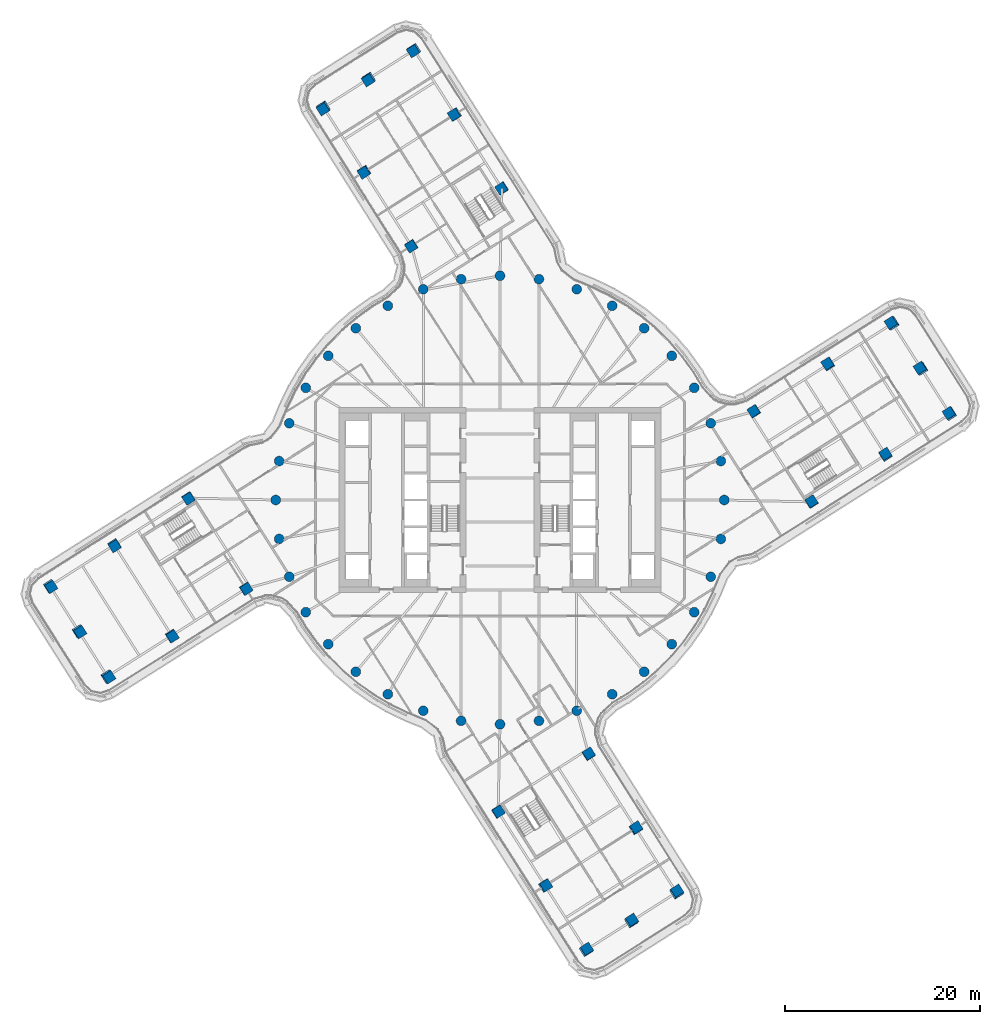
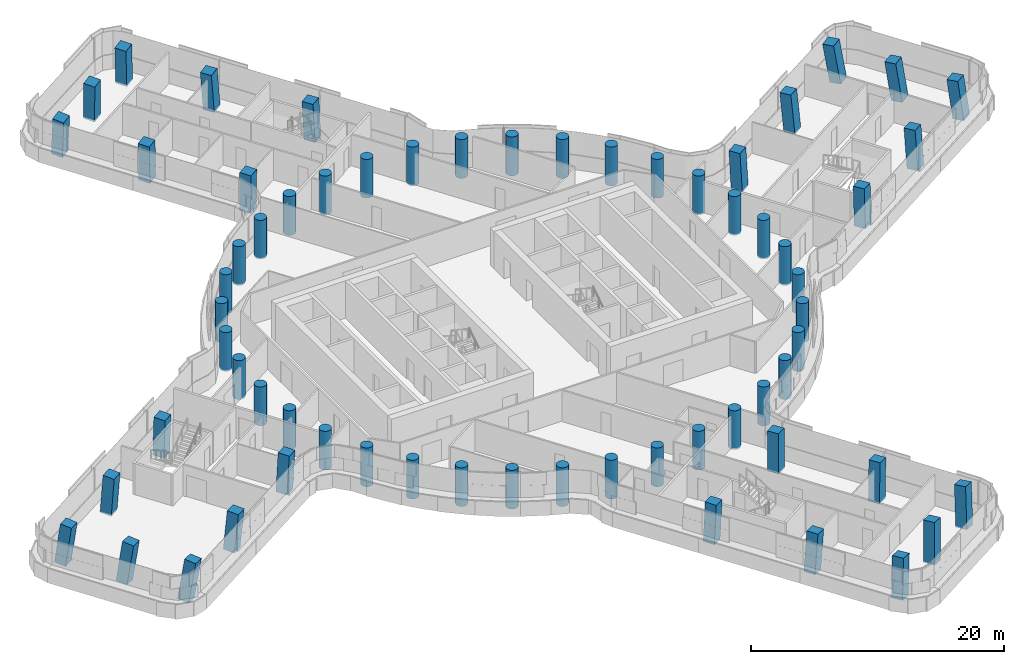
# One storey, part 1 of 36: 64 columns.
"""IFC4 building model written with IfcOpenShell, lengths in metres."""

from ifc_helpers import new_model, si_unit, direction, frame, origin, origin_2d, place, context, subcontext, project, spatial, rectangle, circle, extrude, material, material_profile, profile_set, type_object, element, save


model = new_model("IFC4")

# Units and contexts
model_context = context("Model", 3, precision=1e-05, world=origin(), true_north=direction((0.0, 1.0)))
body_context = subcontext(model_context, "Body", "Model", "MODEL_VIEW")
ifc_project = project(units=[si_unit("LENGTHUNIT", "METRE"), si_unit("AREAUNIT", "SQUARE_METRE"), si_unit("VOLUMEUNIT", "CUBIC_METRE"), si_unit("PLANEANGLEUNIT", "RADIAN"), si_unit("MASSUNIT", "GRAM", prefix="KILO")], contexts=[model_context])

# Site, building, storey
site_placement = place(None, origin())
site = spatial("IfcSite", under=ifc_project, at=site_placement, CompositionType="ELEMENT")
building_placement = place(site_placement, origin())
building = spatial("IfcBuilding", under=site, at=building_placement, Name="Tamarind Cross Interchange Tower", CompositionType="ELEMENT")
storey_placement = place(building_placement, frame((0.0, 0.0, 151.75)))
storey = spatial("IfcBuildingStorey", under=building, at=storey_placement, Name="L37", CompositionType="ELEMENT", Elevation=151.75)

# Columns
ifc_material = material(Name="Concrete C60", Category="concrete")
ifc_material_profile_1 = material_profile(ifc_material, rectangle(XDim=1.0, YDim=1.0, at=origin_2d()), Name="RC 1000x1000")
ifc_profile_set_1 = profile_set([ifc_material_profile_1], Name="Concrete C60")
column_type_1 = type_object("IfcColumnType", Name="Column RC 1000x1000 Concrete C60", PredefinedType="COLUMN", material=ifc_profile_set_1)
for number, where, z_axis, x_axis, name in (
    (1, (33.662353515625, 13.911376953125, -0.138427734375), (-0.067892620187, 0.055884843194, 0.996126235186), (0.532721528368, -0.842155739267, 0.08355527531), "Column L37-036"),
    (2, (39.5546875, 4.622802734375, -0.138427734375), (-0.023107006534, 0.084768962173, 0.996132666516), (-0.844984777075, -0.534164972547, 0.025855533558), "Column L37-037"),
):
    element("IfcColumn", number, at=place(storey_placement, frame(where, z_axis=z_axis, x_axis=x_axis)), inside=storey, type_object=column_type_1, Name=name, PredefinedType="COLUMN", context=body_context, shape_type="SweptSolid", body=[
        extrude(rectangle(XDim=1.0, YDim=1.0, at=origin_2d()), origin(), (0.0, 0.0, 1.0), 3.761474609375),
    ])
for number, where, z_axis, x_axis, name in (
    (3, (26.0625, 9.09033203125, -0.138671875), (-0.044315827662, 0.01932716713, 0.998830600267), (0.534702759857, -0.84409029995, 0.04005651173), "Column L37-038"),
    (4, (31.954833984375, -0.1982421875, -0.138671875), (0.000520596937, 0.048350440504, 0.998830297839), (-0.844403529765, -0.535059662549, 0.026340775133), "Column L37-039"),
):
    element("IfcColumn", number, at=place(storey_placement, frame(where, z_axis=z_axis, x_axis=x_axis)), inside=storey, type_object=column_type_1, Name=name, PredefinedType="COLUMN", context=body_context, shape_type="SweptSolid", body=[
        extrude(rectangle(XDim=1.0, YDim=1.0, at=origin_2d()), origin(), (0.0, 0.0, 1.0), 3.751708984375),
    ])
column_1_placement = place(storey_placement, frame((46.157958984375, 8.8115234375, -0.13818359375), z_axis=(-0.099286260123, 0.079312657012, 0.991893008841), x_axis=(0.52974298258, -0.839603229932, 0.120161510874)))
element("IfcColumn", 5, at=column_1_placement, inside=storey, type_object=column_type_1, Name="Column L37-040", PredefinedType="COLUMN", context=body_context, shape_type="SweptSolid", body=[
    extrude(rectangle(XDim=1.0, YDim=1.0, at=origin_2d()), origin(), (0.0, 0.0, 1.0), 3.77685546875),
])
column_2_placement = place(storey_placement, frame((43.211669921875, 13.455810546875, -0.13818359375), z_axis=(-0.121358344748, 0.064810520281, 0.990490660542), x_axis=(0.528350715401, -0.840541032692, 0.119734263672)))
element("IfcColumn", 6, at=column_2_placement, inside=storey, type_object=column_type_1, Name="Column L37-041", PredefinedType="COLUMN", context=body_context, shape_type="SweptSolid", body=[
    extrude(rectangle(XDim=1.0, YDim=1.0, at=origin_2d()), origin(), (0.0, 0.0, 1.0), 3.781982421875),
])
column_3_placement = place(storey_placement, frame((40.265380859375, 18.10009765625, -0.13818359375), z_axis=(-0.143262076479, 0.050309209411, 0.988405261465), x_axis=(0.527042854148, -0.84143481177, 0.119219492676)))
element("IfcColumn", 7, at=column_3_placement, inside=storey, type_object=column_type_1, Name="Column L37-042", PredefinedType="COLUMN", context=body_context, shape_type="SweptSolid", body=[
    extrude(rectangle(XDim=1.0, YDim=1.0, at=origin_2d()), origin(), (0.0, 0.0, 1.0), 3.7900390625),
])
for number, where, z_axis, x_axis, name in (
    (8, (-13.911376953125, 33.662353515625, -0.138427734375), (-0.055884843194, -0.067892620187, 0.996126235186), (0.842155739267, 0.532721528368, 0.08355527531), "Column L37-043"),
    (9, (-4.622802734375, 39.5546875, -0.138427734375), (-0.084768962173, -0.023107006534, 0.996132666516), (0.534164972547, -0.844984777075, 0.025855533558), "Column L37-044"),
):
    element("IfcColumn", number, at=place(storey_placement, frame(where, z_axis=z_axis, x_axis=x_axis)), inside=storey, type_object=column_type_1, Name=name, PredefinedType="COLUMN", context=body_context, shape_type="SweptSolid", body=[
        extrude(rectangle(XDim=1.0, YDim=1.0, at=origin_2d()), origin(), (0.0, 0.0, 1.0), 3.761474609375),
    ])
for number, where, z_axis, x_axis, name in (
    (10, (-9.09033203125, 26.0625, -0.138671875), (-0.01932716713, -0.044315827662, 0.998830600267), (0.84409029995, 0.534702759857, 0.04005651173), "Column L37-045"),
    (11, (0.1982421875, 31.954833984375, -0.138671875), (-0.048350440504, 0.000520596937, 0.998830297839), (0.535059662549, -0.844403529765, 0.026340775133), "Column L37-046"),
):
    element("IfcColumn", number, at=place(storey_placement, frame(where, z_axis=z_axis, x_axis=x_axis)), inside=storey, type_object=column_type_1, Name=name, PredefinedType="COLUMN", context=body_context, shape_type="SweptSolid", body=[
        extrude(rectangle(XDim=1.0, YDim=1.0, at=origin_2d()), origin(), (0.0, 0.0, 1.0), 3.751708984375),
    ])
column_4_placement = place(storey_placement, frame((-8.8115234375, 46.157958984375, -0.13818359375), z_axis=(-0.079312657012, -0.099286260123, 0.991893008841), x_axis=(0.839603229932, 0.52974298258, 0.120161510874)))
element("IfcColumn", 12, at=column_4_placement, inside=storey, type_object=column_type_1, Name="Column L37-047", PredefinedType="COLUMN", context=body_context, shape_type="SweptSolid", body=[
    extrude(rectangle(XDim=1.0, YDim=1.0, at=origin_2d()), origin(), (0.0, 0.0, 1.0), 3.77685546875),
])
column_5_placement = place(storey_placement, frame((-13.455810546875, 43.211669921875, -0.13818359375), z_axis=(-0.064810520281, -0.121358344748, 0.990490660542), x_axis=(0.840541032692, 0.528350715401, 0.119734263672)))
element("IfcColumn", 13, at=column_5_placement, inside=storey, type_object=column_type_1, Name="Column L37-048", PredefinedType="COLUMN", context=body_context, shape_type="SweptSolid", body=[
    extrude(rectangle(XDim=1.0, YDim=1.0, at=origin_2d()), origin(), (0.0, 0.0, 1.0), 3.781982421875),
])
column_6_placement = place(storey_placement, frame((-18.10009765625, 40.265380859375, -0.13818359375), z_axis=(-0.050309209411, -0.143262076479, 0.988405261465), x_axis=(0.84143481177, 0.527042854148, 0.119219492676)))
element("IfcColumn", 14, at=column_6_placement, inside=storey, type_object=column_type_1, Name="Column L37-049", PredefinedType="COLUMN", context=body_context, shape_type="SweptSolid", body=[
    extrude(rectangle(XDim=1.0, YDim=1.0, at=origin_2d()), origin(), (0.0, 0.0, 1.0), 3.7900390625),
])
for number, where, z_axis, x_axis, name in (
    (15, (-33.662353515625, -13.911376953125, -0.138427734375), (0.067892620187, -0.055884843194, 0.996126235186), (-0.532721528368, 0.842155739267, 0.08355527531), "Column L37-050"),
    (16, (-39.5546875, -4.622802734375, -0.138427734375), (0.023107006534, -0.084768962173, 0.996132666516), (0.844984777075, 0.534164972547, 0.025855533558), "Column L37-051"),
):
    element("IfcColumn", number, at=place(storey_placement, frame(where, z_axis=z_axis, x_axis=x_axis)), inside=storey, type_object=column_type_1, Name=name, PredefinedType="COLUMN", context=body_context, shape_type="SweptSolid", body=[
        extrude(rectangle(XDim=1.0, YDim=1.0, at=origin_2d()), origin(), (0.0, 0.0, 1.0), 3.761474609375),
    ])
for number, where, z_axis, x_axis, name in (
    (17, (-26.0625, -9.09033203125, -0.138671875), (0.044315827662, -0.01932716713, 0.998830600267), (-0.534702759857, 0.84409029995, 0.04005651173), "Column L37-052"),
    (18, (-31.954833984375, 0.1982421875, -0.138671875), (-0.000520596937, -0.048350440504, 0.998830297839), (0.844403529765, 0.535059662549, 0.026340775133), "Column L37-053"),
):
    element("IfcColumn", number, at=place(storey_placement, frame(where, z_axis=z_axis, x_axis=x_axis)), inside=storey, type_object=column_type_1, Name=name, PredefinedType="COLUMN", context=body_context, shape_type="SweptSolid", body=[
        extrude(rectangle(XDim=1.0, YDim=1.0, at=origin_2d()), origin(), (0.0, 0.0, 1.0), 3.751708984375),
    ])
column_7_placement = place(storey_placement, frame((-46.157958984375, -8.8115234375, -0.13818359375), z_axis=(0.099286260123, -0.079312657012, 0.991893008841), x_axis=(-0.52974298258, 0.839603229932, 0.120161510874)))
element("IfcColumn", 19, at=column_7_placement, inside=storey, type_object=column_type_1, Name="Column L37-054", PredefinedType="COLUMN", context=body_context, shape_type="SweptSolid", body=[
    extrude(rectangle(XDim=1.0, YDim=1.0, at=origin_2d()), origin(), (0.0, 0.0, 1.0), 3.77685546875),
])
column_8_placement = place(storey_placement, frame((-43.211669921875, -13.455810546875, -0.13818359375), z_axis=(0.121358344748, -0.064810520281, 0.990490660542), x_axis=(-0.528350715401, 0.840541032692, 0.119734263672)))
element("IfcColumn", 20, at=column_8_placement, inside=storey, type_object=column_type_1, Name="Column L37-055", PredefinedType="COLUMN", context=body_context, shape_type="SweptSolid", body=[
    extrude(rectangle(XDim=1.0, YDim=1.0, at=origin_2d()), origin(), (0.0, 0.0, 1.0), 3.781982421875),
])
column_9_placement = place(storey_placement, frame((-40.265380859375, -18.10009765625, -0.13818359375), z_axis=(0.143262076479, -0.050309209411, 0.988405261465), x_axis=(-0.527042854148, 0.84143481177, 0.119219492676)))
element("IfcColumn", 21, at=column_9_placement, inside=storey, type_object=column_type_1, Name="Column L37-056", PredefinedType="COLUMN", context=body_context, shape_type="SweptSolid", body=[
    extrude(rectangle(XDim=1.0, YDim=1.0, at=origin_2d()), origin(), (0.0, 0.0, 1.0), 3.7900390625),
])
for number, where, z_axis, x_axis, name in (
    (22, (13.911376953125, -33.662353515625, -0.138427734375), (0.055884843194, 0.067892620187, 0.996126235186), (-0.842155739267, -0.532721528368, 0.08355527531), "Column L37-057"),
    (23, (4.622802734375, -39.5546875, -0.138427734375), (0.084768962173, 0.023107006534, 0.996132666516), (-0.534164972547, 0.844984777075, 0.025855533558), "Column L37-058"),
):
    element("IfcColumn", number, at=place(storey_placement, frame(where, z_axis=z_axis, x_axis=x_axis)), inside=storey, type_object=column_type_1, Name=name, PredefinedType="COLUMN", context=body_context, shape_type="SweptSolid", body=[
        extrude(rectangle(XDim=1.0, YDim=1.0, at=origin_2d()), origin(), (0.0, 0.0, 1.0), 3.761474609375),
    ])
for number, where, z_axis, x_axis, name in (
    (24, (9.09033203125, -26.0625, -0.138671875), (0.01932716713, 0.044315827662, 0.998830600267), (-0.84409029995, -0.534702759857, 0.04005651173), "Column L37-059"),
    (25, (-0.1982421875, -31.954833984375, -0.138671875), (0.048350440504, -0.000520596937, 0.998830297839), (-0.535059662549, 0.844403529765, 0.026340775133), "Column L37-060"),
):
    element("IfcColumn", number, at=place(storey_placement, frame(where, z_axis=z_axis, x_axis=x_axis)), inside=storey, type_object=column_type_1, Name=name, PredefinedType="COLUMN", context=body_context, shape_type="SweptSolid", body=[
        extrude(rectangle(XDim=1.0, YDim=1.0, at=origin_2d()), origin(), (0.0, 0.0, 1.0), 3.751708984375),
    ])
column_10_placement = place(storey_placement, frame((8.8115234375, -46.157958984375, -0.13818359375), z_axis=(0.079312657012, 0.099286260123, 0.991893008841), x_axis=(-0.839603229932, -0.52974298258, 0.120161510874)))
element("IfcColumn", 26, at=column_10_placement, inside=storey, type_object=column_type_1, Name="Column L37-061", PredefinedType="COLUMN", context=body_context, shape_type="SweptSolid", body=[
    extrude(rectangle(XDim=1.0, YDim=1.0, at=origin_2d()), origin(), (0.0, 0.0, 1.0), 3.77685546875),
])
column_11_placement = place(storey_placement, frame((13.455810546875, -43.211669921875, -0.13818359375), z_axis=(0.064810520281, 0.121358344748, 0.990490660542), x_axis=(-0.840541032692, -0.528350715401, 0.119734263672)))
element("IfcColumn", 27, at=column_11_placement, inside=storey, type_object=column_type_1, Name="Column L37-062", PredefinedType="COLUMN", context=body_context, shape_type="SweptSolid", body=[
    extrude(rectangle(XDim=1.0, YDim=1.0, at=origin_2d()), origin(), (0.0, 0.0, 1.0), 3.781982421875),
])
column_12_placement = place(storey_placement, frame((18.10009765625, -40.265380859375, -0.13818359375), z_axis=(0.050309209411, 0.143262076479, 0.988405261465), x_axis=(-0.84143481177, -0.527042854148, 0.119219492676)))
element("IfcColumn", 28, at=column_12_placement, inside=storey, type_object=column_type_1, Name="Column L37-063", PredefinedType="COLUMN", context=body_context, shape_type="SweptSolid", body=[
    extrude(rectangle(XDim=1.0, YDim=1.0, at=origin_2d()), origin(), (0.0, 0.0, 1.0), 3.7900390625),
])
ifc_material_profile_2 = material_profile(ifc_material, circle(Radius=0.5, at=origin_2d()), Name="RC D1000")
ifc_profile_set_2 = profile_set([ifc_material_profile_2], Name="Concrete C60")
column_type_2 = type_object("IfcColumnType", Name="Column RC D1000 Concrete C60", PredefinedType="COLUMN", material=ifc_profile_set_2)
for number, where, z_axis, x_axis, name in (
    (29, (23.0, 0.0, -0.139892578125), (0.0, 0.0, 1.0), (1.0, 0.0, 0.0), "Column L37-000"),
    (30, (22.650634765625, 3.993896484375, -0.139892578125), (0.0, 0.0, 1.0), (1.0, 0.0, 0.0), "Column L37-001"),
    (31, (21.613037109375, 7.866455078125, -0.139892578125), (0.0, 0.0, 1.0), (1.0, 0.0, 0.0), "Column L37-002"),
    (32, (19.918701171875, 11.5, -0.139892578125), (0.0, 0.0, 1.0), (1.0, 0.0, 0.0), "Column L37-003"),
    (33, (17.619140625, 14.7841796875, -0.139892578125), (0.0, 0.0, 1.0), (1.0, 0.0, 0.0), "Column L37-004"),
    (34, (14.7841796875, 17.619140625, -0.139892578125), (0.0, 0.0, 1.0), (1.0, 0.0, 0.0), "Column L37-005"),
    (35, (11.5, 19.918701171875, -0.139892578125), (0.0, 0.0, 1.0), (1.0, 0.0, 0.0), "Column L37-006"),
    (36, (7.866455078125, 21.613037109375, -0.139892578125), (0.0, 0.0, 1.0), (1.0, 0.0, 0.0), "Column L37-007"),
    (37, (3.993896484375, 22.650634765625, -0.139892578125), (0.0, 0.0, 1.0), (1.0, 0.0, 0.0), "Column L37-008"),
    (38, (0.0, 23.0, -0.139892578125), (0.0, 0.0, 1.0), (1.0, 0.0, 0.0), "Column L37-009"),
    (39, (-3.993896484375, 22.650634765625, -0.139892578125), (0.0, 0.0, 1.0), (1.0, 0.0, 0.0), "Column L37-010"),
    (40, (-7.866455078125, 21.613037109375, -0.139892578125), (0.0, 0.0, 1.0), (1.0, 0.0, 0.0), "Column L37-011"),
    (41, (-11.5, 19.918701171875, -0.139892578125), (0.0, 0.0, 1.0), (1.0, 0.0, 0.0), "Column L37-012"),
    (42, (-14.7841796875, 17.619140625, -0.139892578125), (0.0, 0.0, 1.0), (1.0, 0.0, 0.0), "Column L37-013"),
    (43, (-17.619140625, 14.7841796875, -0.139892578125), (0.0, 0.0, 1.0), (1.0, 0.0, 0.0), "Column L37-014"),
    (44, (-19.918701171875, 11.5, -0.139892578125), (0.0, 0.0, 1.0), (1.0, 0.0, 0.0), "Column L37-015"),
    (45, (-21.613037109375, 7.866455078125, -0.139892578125), (0.0, 0.0, 1.0), (1.0, 0.0, 0.0), "Column L37-016"),
    (46, (-22.650634765625, 3.993896484375, -0.139892578125), (0.0, 0.0, 1.0), (1.0, 0.0, 0.0), "Column L37-017"),
    (47, (-23.0, 0.0, -0.139892578125), (0.0, 0.0, 1.0), (1.0, 0.0, 0.0), "Column L37-018"),
    (48, (-22.650634765625, -3.993896484375, -0.139892578125), (0.0, 0.0, 1.0), (1.0, 0.0, 0.0), "Column L37-019"),
    (49, (-21.613037109375, -7.866455078125, -0.139892578125), (0.0, 0.0, 1.0), (1.0, 0.0, 0.0), "Column L37-020"),
    (50, (-19.918701171875, -11.5, -0.139892578125), (0.0, 0.0, 1.0), (1.0, 0.0, 0.0), "Column L37-021"),
    (51, (-17.619140625, -14.7841796875, -0.139892578125), (0.0, 0.0, 1.0), (1.0, 0.0, 0.0), "Column L37-022"),
    (52, (-14.7841796875, -17.619140625, -0.139892578125), (0.0, 0.0, 1.0), (1.0, 0.0, 0.0), "Column L37-023"),
    (53, (-11.5, -19.918701171875, -0.139892578125), (0.0, 0.0, 1.0), (1.0, 0.0, 0.0), "Column L37-024"),
    (54, (-7.866455078125, -21.613037109375, -0.139892578125), (0.0, 0.0, 1.0), (1.0, 0.0, 0.0), "Column L37-025"),
    (55, (-3.993896484375, -22.650634765625, -0.139892578125), (0.0, 0.0, 1.0), (1.0, 0.0, 0.0), "Column L37-026"),
    (56, (0.0, -23.0, -0.139892578125), (0.0, 0.0, 1.0), (1.0, 0.0, 0.0), "Column L37-027"),
    (57, (3.993896484375, -22.650634765625, -0.139892578125), (0.0, 0.0, 1.0), (1.0, 0.0, 0.0), "Column L37-028"),
    (58, (7.866455078125, -21.613037109375, -0.139892578125), (0.0, 0.0, 1.0), (1.0, 0.0, 0.0), "Column L37-029"),
    (59, (11.5, -19.918701171875, -0.139892578125), (0.0, 0.0, 1.0), (1.0, 0.0, 0.0), "Column L37-030"),
    (60, (14.7841796875, -17.619140625, -0.139892578125), (0.0, 0.0, 1.0), (1.0, 0.0, 0.0), "Column L37-031"),
    (61, (17.619140625, -14.7841796875, -0.139892578125), (0.0, 0.0, 1.0), (1.0, 0.0, 0.0), "Column L37-032"),
    (62, (19.918701171875, -11.5, -0.139892578125), (0.0, 0.0, 1.0), (1.0, 0.0, 0.0), "Column L37-033"),
    (63, (21.613037109375, -7.866455078125, -0.139892578125), (0.0, 0.0, 1.0), (1.0, 0.0, 0.0), "Column L37-034"),
    (64, (22.650634765625, -3.993896484375, -0.139892578125), (0.0, 0.0, 1.0), (1.0, 0.0, 0.0), "Column L37-035"),
):
    element("IfcColumn", number, at=place(storey_placement, frame(where, z_axis=z_axis, x_axis=x_axis)), inside=storey, type_object=column_type_2, Name=name, PredefinedType="COLUMN", context=body_context, shape_type="SweptSolid", body=[
        extrude(circle(Radius=0.5, at=origin_2d()), origin(), (0.0, 0.0, 1.0), 3.75),
    ])

save(model, "model.ifc")
